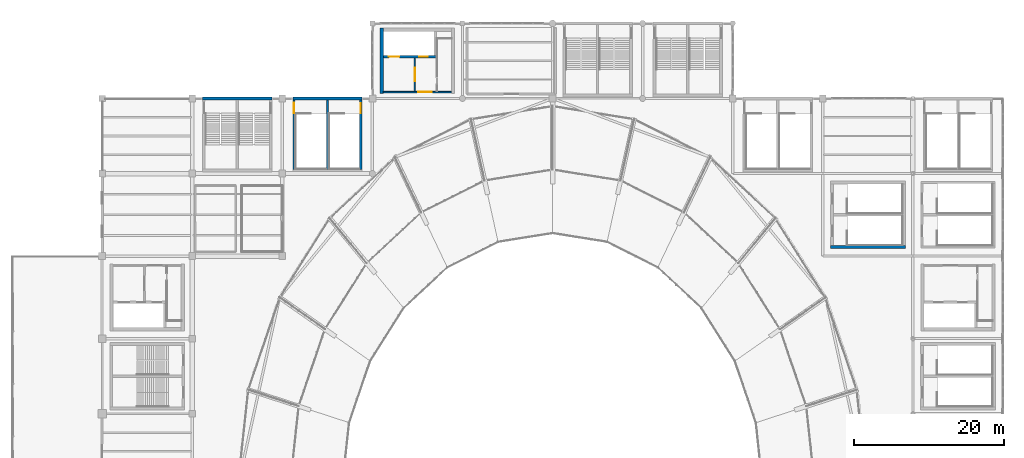
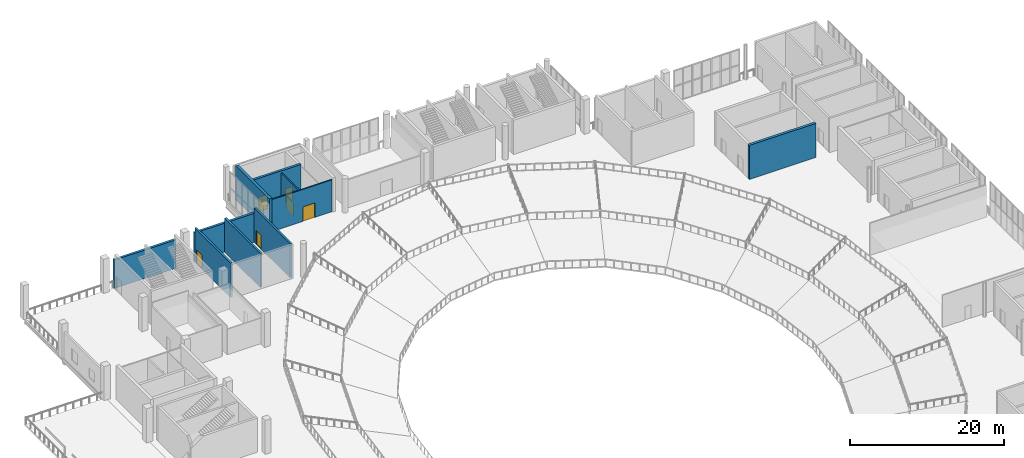
# One storey, part 54 of 74: 10 walls, 6 doors, 6 openings.
"""IFC4 building model written with IfcOpenShell, lengths in metres."""

from ifc_helpers import new_model, si_unit, direction, frame, frame_2d, origin, place, context, subcontext, project, spatial, rectangle, extrude, material, layer, layer_set, type_object, element, fill, save


model = new_model("IFC4")

# Units and contexts
model_context = context("Model", 3, precision=1e-05, world=origin(), true_north=direction((0.0, 1.0)))
body_context = subcontext(model_context, "Body", "Model", "MODEL_VIEW")
ifc_project = project(units=[si_unit("LENGTHUNIT", "METRE"), si_unit("AREAUNIT", "SQUARE_METRE"), si_unit("VOLUMEUNIT", "CUBIC_METRE"), si_unit("PLANEANGLEUNIT", "RADIAN"), si_unit("MASSUNIT", "GRAM", prefix="KILO")], contexts=[model_context])

# Site, building, storey
site_placement = place(None, origin())
site = spatial("IfcSite", under=ifc_project, at=site_placement, CompositionType="ELEMENT")
building_placement = place(site_placement, origin())
building = spatial("IfcBuilding", under=site, at=building_placement, Name="Brinegate Civic Arena", CompositionType="ELEMENT")
storey_placement = place(building_placement, frame((0.0, 0.0, 19.199951171875)))
storey = spatial("IfcBuildingStorey", under=building, at=storey_placement, Name="L04", CompositionType="ELEMENT", Elevation=19.199951171875)

# Wall, openings, doors
ifc_material_1 = material(Name="Concrete C50/60", Category="concrete")
ifc_layer_1 = layer(ifc_material_1, 0.35009765625, Name="Concrete C50/60")
ifc_layer_set_1 = layer_set([ifc_layer_1], Name="Concrete C50/60")
wall_type_1 = type_object("IfcWallType", Name="WALL-CORE-SHEAR-350", PredefinedType="SHEAR", material=ifc_layer_set_1)
wall_1_placement = place(storey_placement, frame((85.4599609375, 119.550048828125, 0.0), z_axis=(0.0, 0.0, 1.0), x_axis=(1.0, 0.0, 0.0)))
wall_1 = element("IfcWall", 1, at=wall_1_placement, inside=storey, type_object=wall_type_1, Name="Core K3 Lift Shaft Front Wall L04 (WBG-84)", PredefinedType="SHEAR", context=body_context, shape_type="SweptSolid", body=[
    extrude(rectangle(XDim=7.06494140625, YDim=0.35009765625, at=frame_2d((3.532470703125, 0.0))), origin(), (0.0, 0.0, 1.0), 5.400146484375),
])
opening_1_placement = place(wall_1_placement, frame((0.739990234375, 0.0, 0.0)))
opening_1 = element("IfcOpeningElement", 2, at=opening_1_placement, cuts=wall_1, Name="Opening LD-FL3-L04", PredefinedType="OPENING", context=body_context, shape_type="SweptSolid", body=[
    extrude(rectangle(XDim=1.39990234375, YDim=2.300048828125, at=frame_2d((0.699951171875, 1.14990234375))), frame((0.0, 0.18505859375, 0.0), z_axis=(0.0, -1.0, 0.0), x_axis=(1.0, 0.0, 0.0)), (0.0, 0.0, 1.0), 0.3701171875),
])
opening_2_placement = place(wall_1_placement, frame((4.7900390625, 0.0, 0.0)))
opening_2 = element("IfcOpeningElement", 3, at=opening_2_placement, cuts=wall_1, Name="Opening LD-PL5-L04", PredefinedType="OPENING", context=body_context, shape_type="SweptSolid", body=[
    extrude(rectangle(XDim=1.10009765625, YDim=2.199951171875, at=frame_2d((0.550048828125, 1.10009765625))), frame((0.0, 0.18505859375, 0.0), z_axis=(0.0, -1.0, 0.0), x_axis=(1.0, 0.0, 0.0)), (0.0, 0.0, 1.0), 0.3701171875),
])
ifc_material_2 = material(Name="Architectural stainless steel balustrade", Category="steel")
door_type_1 = type_object("IfcDoorType", Name="DOOR-LIFT-1100X2200", OperationType="SLIDING_TO_LEFT", PredefinedType="DOOR", material=ifc_material_2)
door_1_placement = place(opening_2_placement, origin())
door_1 = element("IfcDoor", 4, at=door_1_placement, inside=storey, type_object=door_type_1, Name="Sliding Lift Landing Door LD-PL5-L04", OperationType="SLIDING_TO_LEFT", OverallHeight=2.199951171875, OverallWidth=1.10009765625, PredefinedType="DOOR", context=body_context, shape_type="SweptSolid", body=[
    extrude(rectangle(XDim=1.10009765625, YDim=2.199951171875, at=frame_2d((0.550048828125, 1.10009765625))), frame((0.0, 0.02490234375, 0.0), z_axis=(0.0, -1.0, 0.0), x_axis=(1.0, 0.0, 0.0)), (0.0, 0.0, 1.0), 0.050048828125),
])
fill(opening_2, door_1)
door_type_2 = type_object("IfcDoorType", Name="DOOR-LIFT-1400X2300", OperationType="SLIDING_TO_LEFT", PredefinedType="DOOR", material=ifc_material_2)
door_2_placement = place(opening_1_placement, origin())
door_2 = element("IfcDoor", 5, at=door_2_placement, inside=storey, type_object=door_type_2, Name="Sliding Lift Landing Door LD-FL3-L04", OperationType="SLIDING_TO_LEFT", OverallHeight=2.300048828125, OverallWidth=1.39990234375, PredefinedType="DOOR", context=body_context, shape_type="SweptSolid", body=[
    extrude(rectangle(XDim=1.39990234375, YDim=2.300048828125, at=frame_2d((0.699951171875, 1.14990234375))), frame((0.0, 0.02490234375, 0.0), z_axis=(0.0, -1.0, 0.0), x_axis=(1.0, 0.0, 0.0)), (0.0, 0.0, 1.0), 0.050048828125),
])
fill(opening_1, door_2)

# Walls
ifc_layer_2 = layer(ifc_material_1, 0.389892578125, Name="Concrete C50/60")
ifc_layer_set_2 = layer_set([ifc_layer_2], Name="Concrete C50/60")
wall_type_2 = type_object("IfcWallType", Name="WALL-CORE-SHEAR-390", PredefinedType="SHEAR", material=ifc_layer_set_2)
wall_2_placement = place(storey_placement, frame((145.0048828125, 94.199951171875, 0.0), z_axis=(0.0, 0.0, 1.0), x_axis=(1.0, 0.0, 0.0)))
element("IfcWall", 6, at=wall_2_placement, inside=storey, type_object=wall_type_2, Name="Stair ST-18 South Shear Wall L04 (WBL-21)", PredefinedType="SHEAR", context=body_context, shape_type="SweptSolid", body=[
    extrude(rectangle(XDim=9.990234375, YDim=0.389892578125, at=frame_2d((4.9951171875, 0.0))), origin(), (0.0, 0.0, 1.0), 5.400146484375),
])
ifc_layer_3 = layer(ifc_material_1, 0.419921875, Name="Concrete C50/60")
ifc_layer_set_3 = layer_set([ifc_layer_3], Name="Concrete C50/60")
wall_type_3 = type_object("IfcWallType", Name="WALL-CORE-SHEAR-420", PredefinedType="SHEAR", material=ifc_layer_set_3)
wall_3_placement = place(storey_placement, frame((85.25, 114.639892578125, 0.0), z_axis=(0.0, 0.0, 1.0), x_axis=(0.0, 1.0, 0.0)))
element("IfcWall", 7, at=wall_3_placement, inside=storey, type_object=wall_type_3, Name="Core K3 West Shear Wall L04 (WBG-81)", PredefinedType="SHEAR", context=body_context, shape_type="SweptSolid", body=[
    extrude(rectangle(XDim=8.72021484375, YDim=0.419921875, at=frame_2d((4.360107421875, 0.0))), origin(), (0.0, 0.0, 1.0), 5.400146484375),
])
ifc_layer_4 = layer(ifc_material_1, 0.35009765625, Name="Concrete C50/60")
ifc_layer_set_4 = layer_set([ifc_layer_4], Name="Concrete C50/60")
wall_type_4 = type_object("IfcWallType", Name="WALL-EXT-STAIR-SHEAR-350", PredefinedType="SHEAR", material=ifc_layer_set_4)
wall_4_placement = place(storey_placement, frame((61.375, 114.0, 0.0), z_axis=(0.0, 0.0, 1.0), x_axis=(1.0, 0.0, 0.0)))
element("IfcWall", 8, at=wall_4_placement, inside=storey, type_object=wall_type_4, Name="Stair ST-01 North Shear Wall L04 (WBB-23)", PredefinedType="SHEAR", context=body_context, shape_type="SweptSolid", body=[
    extrude(rectangle(XDim=9.25, YDim=0.35009765625, at=frame_2d((4.625, 0.0))), origin(), (0.0, 0.0, 1.0), 4.506103515625),
])
wall_5_placement = place(storey_placement, frame((73.405029296875, 114.0, 0.0), z_axis=(0.0, 0.0, 1.0), x_axis=(1.0, 0.0, 0.0)))
element("IfcWall", 9, at=wall_5_placement, inside=storey, type_object=wall_type_4, Name="Stair ST-11 North Shear Wall L04 (WBE-01)", PredefinedType="SHEAR", context=body_context, shape_type="SweptSolid", body=[
    extrude(rectangle(XDim=9.18994140625, YDim=0.35009765625, at=frame_2d((4.594970703125, 0.0))), origin(), (0.0, 0.0, 1.0), 4.583984375),
])

# Wall, opening, door
ifc_material_3 = material(Name="Concrete blockwork masonry", Category="masonry")
ifc_layer_5 = layer(ifc_material_3, 0.18994140625, Name="Concrete blockwork masonry")
ifc_layer_set_5 = layer_set([ifc_layer_5], Name="Concrete blockwork masonry")
wall_type_5 = type_object("IfcWallType", Name="WALL-PART-RATED-190", PredefinedType="PARTITIONING", material=ifc_layer_set_5)
wall_6_placement = place(storey_placement, frame((85.469970703125, 114.85009765625, 0.0), z_axis=(0.0, 0.0, 1.0), x_axis=(1.0, 0.0, 0.0)))
wall_6 = element("IfcWall", 10, at=wall_6_placement, inside=storey, type_object=wall_type_5, Name="Core K3 Concourse Lobby Wall L04 (WBG-86)", PredefinedType="PARTITIONING", context=body_context, shape_type="SweptSolid", body=[
    extrude(rectangle(XDim=9.06005859375, YDim=0.18994140625, at=frame_2d((4.530029296875, 0.0))), origin(), (0.0, 0.0, 1.0), 5.070068359375),
])
opening_3_placement = place(wall_6_placement, frame((4.64990234375, 0.0, 0.0)))
opening_3 = element("IfcOpeningElement", 11, at=opening_3_placement, cuts=wall_6, Name="Opening D-K3L-L04", PredefinedType="OPENING", context=body_context, shape_type="SweptSolid", body=[
    extrude(rectangle(XDim=1.800048828125, YDim=2.300048828125, at=frame_2d((0.89990234375, 1.14990234375))), frame((0.0, 0.10498046875, 0.0), z_axis=(0.0, -1.0, 0.0), x_axis=(1.0, 0.0, 0.0)), (0.0, 0.0, 1.0), 0.2099609375),
])
ifc_material_4 = material(Name="Marine grade aluminium", Category="aluminium")
door_type_3 = type_object("IfcDoorType", Name="DOOR-CONC-1800X2300", OperationType="NOTDEFINED", PredefinedType="DOOR", material=ifc_material_4)
door_3_placement = place(opening_3_placement, origin())
door_3 = element("IfcDoor", 12, at=door_3_placement, inside=storey, type_object=door_type_3, Name="Lift Lobby Door D-K3L-L04", OperationType="DOUBLE_DOOR_SINGLE_SWING", OverallHeight=2.300048828125, OverallWidth=1.800048828125, PredefinedType="DOOR", context=body_context, shape_type="SweptSolid", body=[
    extrude(rectangle(XDim=1.800048828125, YDim=2.300048828125, at=frame_2d((0.89990234375, 1.14990234375))), frame((0.0, 0.02490234375, 0.0), z_axis=(0.0, -1.0, 0.0), x_axis=(1.0, 0.0, 0.0)), (0.0, 0.0, 1.0), 0.050048828125),
])
fill(opening_3, door_3)

wall_7_placement = place(storey_placement, frame((89.64990234375, 114.949951171875, 0.0), z_axis=(0.0, 0.0, 1.0), x_axis=(0.0, 1.0, 0.0)))
wall_7 = element("IfcWall", 13, at=wall_7_placement, inside=storey, type_object=wall_type_5, Name="Firefighting Lobby K3 Wall L04 (WBG-87)", PredefinedType="PARTITIONING", context=body_context, shape_type="SweptSolid", body=[
    extrude(rectangle(XDim=4.425048828125, YDim=0.18994140625, at=frame_2d((2.21240234375, 0.0))), origin(), (0.0, 0.0, 1.0), 5.070068359375),
])
opening_4_placement = place(wall_7_placement, frame((1.31298828125, 0.0, 0.0)))
opening_4 = element("IfcOpeningElement", 14, at=opening_4_placement, cuts=wall_7, Name="Opening D-K3F-L04", PredefinedType="OPENING", context=body_context, shape_type="SweptSolid", body=[
    extrude(rectangle(XDim=1.800048828125, YDim=2.199951171875, at=frame_2d((0.89990234375, 1.10009765625))), frame((0.0, 0.10498046875, 0.0), z_axis=(0.0, -1.0, 0.0), x_axis=(1.0, 0.0, 0.0)), (0.0, 0.0, 1.0), 0.2099609375),
])
ifc_material_5 = material(Name="Galvanized hurricane steel", Category="steel")
door_type_4 = type_object("IfcDoorType", Name="DOOR-FFLOB-1800X2200", OperationType="NOTDEFINED", PredefinedType="DOOR", material=ifc_material_5)
door_4_placement = place(opening_4_placement, origin())
door_4 = element("IfcDoor", 15, at=door_4_placement, inside=storey, type_object=door_type_4, Name="Firefighting Lift Lobby Door D-K3F-L04", OperationType="DOUBLE_DOOR_SINGLE_SWING", OverallHeight=2.199951171875, OverallWidth=1.800048828125, PredefinedType="DOOR", context=body_context, shape_type="SweptSolid", body=[
    extrude(rectangle(XDim=1.800048828125, YDim=2.199951171875, at=frame_2d((0.89990234375, 1.10009765625))), frame((0.0, 0.02490234375, 0.0), z_axis=(0.0, -1.0, 0.0), x_axis=(1.0, 0.0, 0.0)), (0.0, 0.0, 1.0), 0.050048828125),
])
fill(opening_4, door_4)

ifc_layer_6 = layer(ifc_material_1, 0.2900390625, Name="Concrete C50/60")
ifc_layer_set_6 = layer_set([ifc_layer_6], Name="Concrete C50/60")
wall_type_6 = type_object("IfcWallType", Name="WALL-STAIR-SHEAR-290", PredefinedType="SHEAR", material=ifc_layer_set_6)
wall_8_placement = place(storey_placement, frame((73.550048828125, 104.544921875, 0.0), z_axis=(0.0, 0.0, 1.0), x_axis=(0.0, 1.0, 0.0)))
wall_8 = element("IfcWall", 16, at=wall_8_placement, inside=storey, type_object=wall_type_6, Name="Stair ST-11 West Shear Wall L04 (WBE-02)", PredefinedType="SHEAR", context=body_context, shape_type="SweptSolid", body=[
    extrude(rectangle(XDim=9.280029296875, YDim=0.2900390625, at=frame_2d((4.64013671875, 0.0))), origin(), (0.0, 0.0, 1.0), 5.400146484375),
])
opening_5_placement = place(wall_8_placement, frame((7.455078125, 0.0, 0.0)))
opening_5 = element("IfcOpeningElement", 17, at=opening_5_placement, cuts=wall_8, Name="Opening D-ST11A-L04", PredefinedType="OPENING", context=body_context, shape_type="SweptSolid", body=[
    extrude(rectangle(XDim=1.39990234375, YDim=2.199951171875, at=frame_2d((0.699951171875, 1.10009765625))), frame((0.0, 0.155029296875, 0.0), z_axis=(0.0, -1.0, 0.0), x_axis=(1.0, 0.0, 0.0)), (0.0, 0.0, 1.0), 0.31005859375),
])
door_type_5 = type_object("IfcDoorType", Name="DOOR-STAIR-2400X2200", OperationType="NOTDEFINED", PredefinedType="DOOR", material=ifc_material_5)
door_5_placement = place(opening_5_placement, frame((1.39990234375, 0.0, 0.0), z_axis=(0.0, 0.0, 1.0), x_axis=(-1.0, 0.0, 0.0)))
door_5 = element("IfcDoor", 18, at=door_5_placement, inside=storey, type_object=door_type_5, Name="Protected Exit Stair Door D-ST11A-L04", OperationType="DOUBLE_DOOR_SINGLE_SWING", OverallHeight=2.199951171875, OverallWidth=1.39990234375, PredefinedType="DOOR", context=body_context, shape_type="SweptSolid", body=[
    extrude(rectangle(XDim=1.39990234375, YDim=2.199951171875, at=frame_2d((0.699951171875, 1.10009765625))), frame((0.0, 0.02490234375, 0.0), z_axis=(0.0, -1.0, 0.0), x_axis=(1.0, 0.0, 0.0)), (0.0, 0.0, 1.0), 0.050048828125),
])
fill(opening_5, door_5)

wall_9_placement = place(storey_placement, frame((82.449951171875, 104.544921875, 0.0), z_axis=(0.0, 0.0, 1.0), x_axis=(0.0, 1.0, 0.0)))
wall_9 = element("IfcWall", 19, at=wall_9_placement, inside=storey, type_object=wall_type_6, Name="Stair ST-11 East Shear Wall L04 (WBE-03)", PredefinedType="SHEAR", context=body_context, shape_type="SweptSolid", body=[
    extrude(rectangle(XDim=9.280029296875, YDim=0.2900390625, at=frame_2d((4.64013671875, 0.0))), origin(), (0.0, 0.0, 1.0), 5.400146484375),
])
opening_6_placement = place(wall_9_placement, frame((7.4951171875, 0.0, 0.0)))
opening_6 = element("IfcOpeningElement", 20, at=opening_6_placement, cuts=wall_9, Name="Opening D-ST11B-L04", PredefinedType="OPENING", context=body_context, shape_type="SweptSolid", body=[
    extrude(rectangle(XDim=1.320068359375, YDim=2.199951171875, at=frame_2d((0.66015625, 1.10009765625))), frame((0.0, 0.155029296875, 0.0), z_axis=(0.0, -1.0, 0.0), x_axis=(1.0, 0.0, 0.0)), (0.0, 0.0, 1.0), 0.31005859375),
])
door_type_6 = type_object("IfcDoorType", Name="DOOR-STAIR-2200X2200", OperationType="NOTDEFINED", PredefinedType="DOOR", material=ifc_material_5)
door_6_placement = place(opening_6_placement, origin())
door_6 = element("IfcDoor", 21, at=door_6_placement, inside=storey, type_object=door_type_6, Name="Protected Exit Stair Door D-ST11B-L04", OperationType="DOUBLE_DOOR_SINGLE_SWING", OverallHeight=2.199951171875, OverallWidth=1.320068359375, PredefinedType="DOOR", context=body_context, shape_type="SweptSolid", body=[
    extrude(rectangle(XDim=1.320068359375, YDim=2.199951171875, at=frame_2d((0.66015625, 1.10009765625))), frame((0.0, 0.02490234375, 0.0), z_axis=(0.0, -1.0, 0.0), x_axis=(1.0, 0.0, 0.0)), (0.0, 0.0, 1.0), 0.050048828125),
])
fill(opening_6, door_6)

# Wall
wall_10_placement = place(storey_placement, frame((78.0, 104.544921875, 0.0), z_axis=(0.0, 0.0, 1.0), x_axis=(0.0, 1.0, 0.0)))
element("IfcWall", 22, at=wall_10_placement, inside=storey, type_object=wall_type_6, Name="Stair ST-11 Central Dividing Shear Wall L04 (WBE-04)", PredefinedType="SHEAR", context=body_context, shape_type="SweptSolid", body=[
    extrude(rectangle(XDim=9.280029296875, YDim=0.2900390625, at=frame_2d((4.64013671875, 0.0))), origin(), (0.0, 0.0, 1.0), 5.400146484375),
])

save(model, "model.ifc")
